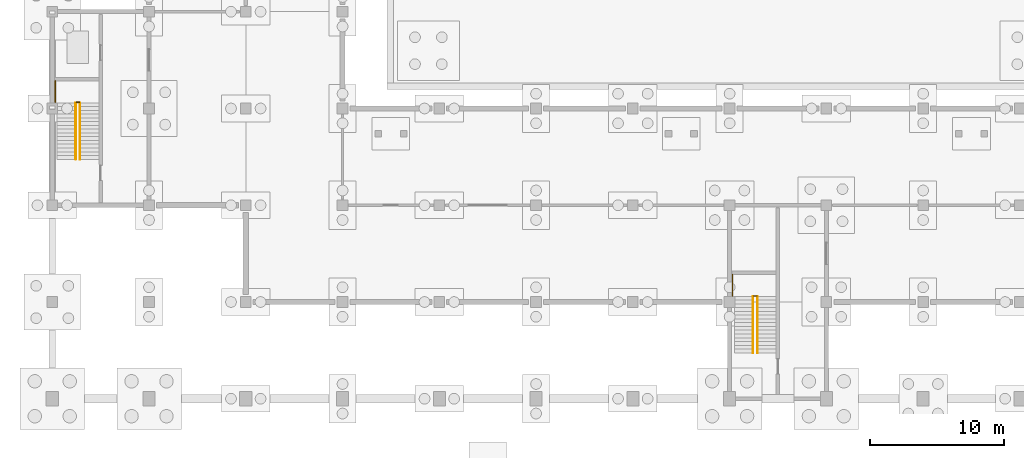
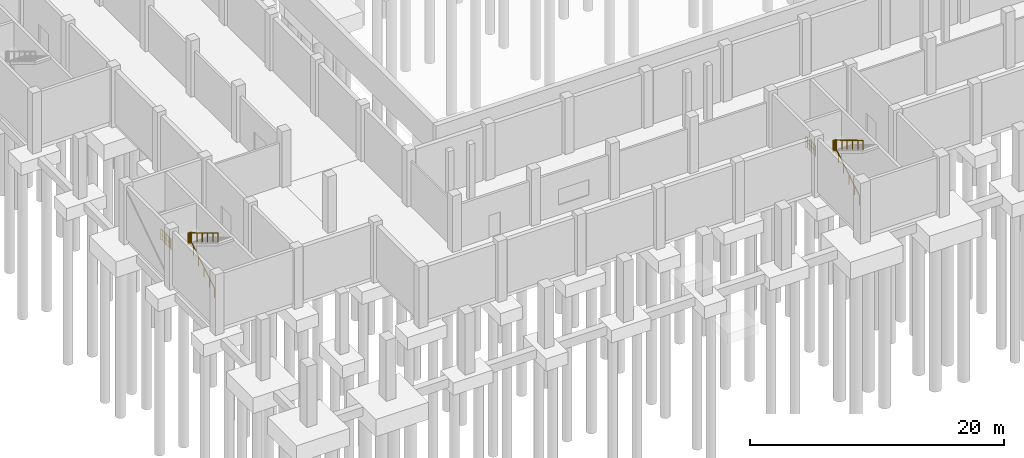
# One storey, part 29 of 35: 8 railings.
"""IFC4 building model written with IfcOpenShell, lengths in metres."""

from ifc_helpers import new_model, si_unit, direction, frame, origin, origin_2d, place, context, subcontext, project, spatial, circle, extrude, material, type_object, element, save


model = new_model("IFC4")

# Units and contexts
model_context = context("Model", 3, precision=1e-05, world=origin(), true_north=direction((0.0, 1.0)))
body_context = subcontext(model_context, "Body", "Model", "MODEL_VIEW")
ifc_project = project(units=[si_unit("LENGTHUNIT", "METRE"), si_unit("AREAUNIT", "SQUARE_METRE"), si_unit("VOLUMEUNIT", "CUBIC_METRE"), si_unit("PLANEANGLEUNIT", "RADIAN"), si_unit("MASSUNIT", "GRAM", prefix="KILO")], contexts=[model_context])

# Site, building, storey
site_placement = place(None, origin())
site = spatial("IfcSite", under=ifc_project, at=site_placement, CompositionType="ELEMENT")
building_placement = place(site_placement, origin())
building = spatial("IfcBuilding", under=site, at=building_placement, Name="Vesperath Aquatics Centre", CompositionType="ELEMENT")
storey_placement = place(building_placement, frame((0.0, 0.0, -5.39990234375)))
storey = spatial("IfcBuildingStorey", under=building, at=storey_placement, Name="B1", CompositionType="ELEMENT", Elevation=-5.39990234375)

# Railings
ifc_material_1 = material(Name="Powder-coated galvanized steel safety guard", Category="steel")
railing_type_1 = type_object("IfcRailingType", Name="RL-GRD01", PredefinedType="GUARDRAIL", material=ifc_material_1)
railing_1_placement = place(storey_placement, frame((1.780029296875, 36.4599609375, 2.699951171875)))
element("IfcRailing", 1, at=railing_1_placement, inside=storey, type_object=railing_type_1, Name="Stair ST1 Half-Landing Slot Guard GR02 B1", PredefinedType="GUARDRAIL", context=body_context, shape_type="SweptSolid", body=[
    extrude(circle(Radius=0.02392578125, at=origin_2d()), frame((0.0, 0.0, 1.0859375), z_axis=(1.0, 0.0, 0.0), x_axis=(0.0, 1.0, 0.0)), (0.0, 0.0, 1.0), 0.260009765625),
    extrude(circle(Radius=0.01611328125, at=origin_2d()), frame((0.0, 0.0, 0.10009765625), z_axis=(1.0, 0.0, 0.0), x_axis=(0.0, 1.0, 0.0)), (0.0, 0.0, 1.0), 0.260009765625),
    extrude(circle(Radius=0.01611328125, at=origin_2d()), frame((0.0, 0.0, 0.610595703125), z_axis=(1.0, 0.0, 0.0), x_axis=(0.0, 1.0, 0.0)), (0.0, 0.0, 1.0), 0.260009765625),
    extrude(circle(Radius=0.009033203125, at=origin_2d()), frame((0.086669921875, 0.0, 0.10009765625)), (0.0, 0.0, 1.0), 0.9619140625),
    extrude(circle(Radius=0.009033203125, at=origin_2d()), frame((0.17333984375, 0.0, 0.10009765625)), (0.0, 0.0, 1.0), 0.9619140625),
    extrude(circle(Radius=0.02197265625, at=origin_2d()), origin(), (0.0, 0.0, 1.0), 1.0859375),
    extrude(circle(Radius=0.02197265625, at=origin_2d()), frame((0.260009765625, 0.0, 0.0)), (0.0, 0.0, 1.0), 1.0859375),
])
railing_2_placement = place(storey_placement, frame((0.219970703125, 36.4599609375, 2.699951171875)))
element("IfcRailing", 2, at=railing_2_placement, inside=storey, type_object=railing_type_1, Name="Stair ST1 Half-Landing Wall Guard GR02 B1", PredefinedType="GUARDRAIL", context=body_context, shape_type="SweptSolid", body=[
    extrude(circle(Radius=0.02392578125, at=origin_2d()), frame((0.0, 0.0, 1.0859375), z_axis=(0.0, 1.0, 0.0), x_axis=(-1.0, 0.0, 0.0)), (0.0, 0.0, 1.0), 1.60009765625),
    extrude(circle(Radius=0.01611328125, at=origin_2d()), frame((0.0, 0.0, 0.10009765625), z_axis=(0.0, 1.0, 0.0), x_axis=(-1.0, 0.0, 0.0)), (0.0, 0.0, 1.0), 1.60009765625),
    extrude(circle(Radius=0.01611328125, at=origin_2d()), frame((0.0, 0.0, 0.610595703125), z_axis=(0.0, 1.0, 0.0), x_axis=(-1.0, 0.0, 0.0)), (0.0, 0.0, 1.0), 1.60009765625),
    extrude(circle(Radius=0.009033203125, at=origin_2d()), frame((0.0, 0.106689453125, 0.10009765625)), (0.0, 0.0, 1.0), 0.9619140625),
    extrude(circle(Radius=0.009033203125, at=origin_2d()), frame((0.0, 0.21337890625, 0.10009765625)), (0.0, 0.0, 1.0), 0.9619140625),
    extrude(circle(Radius=0.009033203125, at=origin_2d()), frame((0.0, 0.320068359375, 0.10009765625)), (0.0, 0.0, 1.0), 0.9619140625),
    extrude(circle(Radius=0.009033203125, at=origin_2d()), frame((0.0, 0.4267578125, 0.10009765625)), (0.0, 0.0, 1.0), 0.9619140625),
    extrude(circle(Radius=0.009033203125, at=origin_2d()), frame((0.0, 0.533447265625, 0.10009765625)), (0.0, 0.0, 1.0), 0.9619140625),
    extrude(circle(Radius=0.009033203125, at=origin_2d()), frame((0.0, 0.64013671875, 0.10009765625)), (0.0, 0.0, 1.0), 0.9619140625),
    extrude(circle(Radius=0.009033203125, at=origin_2d()), frame((0.0, 0.746826171875, 0.10009765625)), (0.0, 0.0, 1.0), 0.9619140625),
    extrude(circle(Radius=0.009033203125, at=origin_2d()), frame((0.0, 0.853271484375, 0.10009765625)), (0.0, 0.0, 1.0), 0.9619140625),
    extrude(circle(Radius=0.009033203125, at=origin_2d()), frame((0.0, 0.9599609375, 0.10009765625)), (0.0, 0.0, 1.0), 0.9619140625),
    extrude(circle(Radius=0.009033203125, at=origin_2d()), frame((0.0, 1.066650390625, 0.10009765625)), (0.0, 0.0, 1.0), 0.9619140625),
    extrude(circle(Radius=0.009033203125, at=origin_2d()), frame((0.0, 1.17333984375, 0.10009765625)), (0.0, 0.0, 1.0), 0.9619140625),
    extrude(circle(Radius=0.009033203125, at=origin_2d()), frame((0.0, 1.280029296875, 0.10009765625)), (0.0, 0.0, 1.0), 0.9619140625),
    extrude(circle(Radius=0.009033203125, at=origin_2d()), frame((0.0, 1.38671875, 0.10009765625)), (0.0, 0.0, 1.0), 0.9619140625),
    extrude(circle(Radius=0.009033203125, at=origin_2d()), frame((0.0, 1.493408203125, 0.10009765625)), (0.0, 0.0, 1.0), 0.9619140625),
    extrude(circle(Radius=0.02197265625, at=origin_2d()), origin(), (0.0, 0.0, 1.0), 1.0859375),
    extrude(circle(Radius=0.02197265625, at=origin_2d()), frame((0.0, 0.800048828125, 0.0)), (0.0, 0.0, 1.0), 1.0859375),
    extrude(circle(Radius=0.02197265625, at=origin_2d()), frame((0.0, 1.60009765625, 0.0)), (0.0, 0.0, 1.0), 1.0859375),
])
railing_3_placement = place(storey_placement, frame((52.179931640625, 22.06005859375, 2.699951171875)))
element("IfcRailing", 3, at=railing_3_placement, inside=storey, type_object=railing_type_1, Name="Stair ST9 Half-Landing Slot Guard GR02 B1", PredefinedType="GUARDRAIL", context=body_context, shape_type="SweptSolid", body=[
    extrude(circle(Radius=0.02392578125, at=origin_2d()), frame((0.0, 0.0, 1.0859375), z_axis=(1.0, 0.0, 0.0), x_axis=(0.0, 1.0, 0.0)), (0.0, 0.0, 1.0), 0.260009765625),
    extrude(circle(Radius=0.01611328125, at=origin_2d()), frame((0.0, 0.0, 0.10009765625), z_axis=(1.0, 0.0, 0.0), x_axis=(0.0, 1.0, 0.0)), (0.0, 0.0, 1.0), 0.260009765625),
    extrude(circle(Radius=0.01611328125, at=origin_2d()), frame((0.0, 0.0, 0.610595703125), z_axis=(1.0, 0.0, 0.0), x_axis=(0.0, 1.0, 0.0)), (0.0, 0.0, 1.0), 0.260009765625),
    extrude(circle(Radius=0.009033203125, at=origin_2d()), frame((0.086669921875, 0.0, 0.10009765625)), (0.0, 0.0, 1.0), 0.9619140625),
    extrude(circle(Radius=0.009033203125, at=origin_2d()), frame((0.17333984375, 0.0, 0.10009765625)), (0.0, 0.0, 1.0), 0.9619140625),
    extrude(circle(Radius=0.02197265625, at=origin_2d()), origin(), (0.0, 0.0, 1.0), 1.0859375),
    extrude(circle(Radius=0.02197265625, at=origin_2d()), frame((0.260009765625, 0.0, 0.0)), (0.0, 0.0, 1.0), 1.0859375),
])
railing_4_placement = place(storey_placement, frame((50.6201171875, 22.06005859375, 2.699951171875)))
element("IfcRailing", 4, at=railing_4_placement, inside=storey, type_object=railing_type_1, Name="Stair ST9 Half-Landing Wall Guard GR02 B1", PredefinedType="GUARDRAIL", context=body_context, shape_type="SweptSolid", body=[
    extrude(circle(Radius=0.02392578125, at=origin_2d()), frame((0.0, 0.0, 1.0859375), z_axis=(0.0, 1.0, 0.0), x_axis=(-1.0, 0.0, 0.0)), (0.0, 0.0, 1.0), 1.599853515625),
    extrude(circle(Radius=0.01611328125, at=origin_2d()), frame((0.0, 0.0, 0.10009765625), z_axis=(0.0, 1.0, 0.0), x_axis=(-1.0, 0.0, 0.0)), (0.0, 0.0, 1.0), 1.599853515625),
    extrude(circle(Radius=0.01611328125, at=origin_2d()), frame((0.0, 0.0, 0.610595703125), z_axis=(0.0, 1.0, 0.0), x_axis=(-1.0, 0.0, 0.0)), (0.0, 0.0, 1.0), 1.599853515625),
    extrude(circle(Radius=0.009033203125, at=origin_2d()), frame((0.0, 0.106689453125, 0.10009765625)), (0.0, 0.0, 1.0), 0.9619140625),
    extrude(circle(Radius=0.009033203125, at=origin_2d()), frame((0.0, 0.21337890625, 0.10009765625)), (0.0, 0.0, 1.0), 0.9619140625),
    extrude(circle(Radius=0.009033203125, at=origin_2d()), frame((0.0, 0.320068359375, 0.10009765625)), (0.0, 0.0, 1.0), 0.9619140625),
    extrude(circle(Radius=0.009033203125, at=origin_2d()), frame((0.0, 0.426513671875, 0.10009765625)), (0.0, 0.0, 1.0), 0.9619140625),
    extrude(circle(Radius=0.009033203125, at=origin_2d()), frame((0.0, 0.533203125, 0.10009765625)), (0.0, 0.0, 1.0), 0.9619140625),
    extrude(circle(Radius=0.009033203125, at=origin_2d()), frame((0.0, 0.639892578125, 0.10009765625)), (0.0, 0.0, 1.0), 0.9619140625),
    extrude(circle(Radius=0.009033203125, at=origin_2d()), frame((0.0, 0.74658203125, 0.10009765625)), (0.0, 0.0, 1.0), 0.9619140625),
    extrude(circle(Radius=0.009033203125, at=origin_2d()), frame((0.0, 0.853271484375, 0.10009765625)), (0.0, 0.0, 1.0), 0.9619140625),
    extrude(circle(Radius=0.009033203125, at=origin_2d()), frame((0.0, 0.9599609375, 0.10009765625)), (0.0, 0.0, 1.0), 0.9619140625),
    extrude(circle(Radius=0.009033203125, at=origin_2d()), frame((0.0, 1.066650390625, 0.10009765625)), (0.0, 0.0, 1.0), 0.9619140625),
    extrude(circle(Radius=0.009033203125, at=origin_2d()), frame((0.0, 1.17333984375, 0.10009765625)), (0.0, 0.0, 1.0), 0.9619140625),
    extrude(circle(Radius=0.009033203125, at=origin_2d()), frame((0.0, 1.27978515625, 0.10009765625)), (0.0, 0.0, 1.0), 0.9619140625),
    extrude(circle(Radius=0.009033203125, at=origin_2d()), frame((0.0, 1.386474609375, 0.10009765625)), (0.0, 0.0, 1.0), 0.9619140625),
    extrude(circle(Radius=0.009033203125, at=origin_2d()), frame((0.0, 1.4931640625, 0.10009765625)), (0.0, 0.0, 1.0), 0.9619140625),
    extrude(circle(Radius=0.02197265625, at=origin_2d()), origin(), (0.0, 0.0, 1.0), 1.0859375),
    extrude(circle(Radius=0.02197265625, at=origin_2d()), frame((0.0, 0.7998046875, 0.0)), (0.0, 0.0, 1.0), 1.0859375),
    extrude(circle(Radius=0.02197265625, at=origin_2d()), frame((0.0, 1.599853515625, 0.0)), (0.0, 0.0, 1.0), 1.0859375),
])
ifc_material_2 = material(Name="Brushed stainless steel tubular handrail", Category="steel")
railing_type_2 = type_object("IfcRailingType", Name="RL-HND01", PredefinedType="HANDRAIL", material=ifc_material_2)
railing_5_placement = place(storey_placement, frame((1.75, 32.219970703125, 0.168701171875)))
element("IfcRailing", 5, at=railing_5_placement, inside=storey, type_object=railing_type_2, Name="Stair ST1 Flight 1 Handrail HR01 B1", PredefinedType="HANDRAIL", context=body_context, shape_type="SweptSolid", body=[
    extrude(circle(Radius=0.02392578125, at=origin_2d()), frame((0.0, 0.0, 0.8759765625), z_axis=(0.0, 0.856476492594, 0.516186030065), x_axis=(-1.0, 0.0, 0.0)), (0.0, 0.0, 1.0), 4.90380859375),
    extrude(circle(Radius=0.02197265625, at=origin_2d()), origin(), (0.0, 0.0, 1.0), 0.8759765625),
    extrude(circle(Radius=0.02197265625, at=origin_2d()), frame((0.0, 0.840087890625, 0.50634765625)), (0.0, 0.0, 1.0), 0.8759765625),
    extrude(circle(Radius=0.02197265625, at=origin_2d()), frame((0.0, 1.679931640625, 1.012451171875)), (0.0, 0.0, 1.0), 0.8759765625),
    extrude(circle(Radius=0.02197265625, at=origin_2d()), frame((0.0, 2.52001953125, 1.518798828125)), (0.0, 0.0, 1.0), 0.8759765625),
    extrude(circle(Radius=0.02197265625, at=origin_2d()), frame((0.0, 3.35986328125, 2.02490234375)), (0.0, 0.0, 1.0), 0.8759765625),
    extrude(circle(Radius=0.02197265625, at=origin_2d()), frame((0.0, 4.199951171875, 2.53125)), (0.0, 0.0, 1.0), 0.8759765625),
])
railing_6_placement = place(storey_placement, frame((2.070068359375, 36.419921875, 2.86865234375)))
element("IfcRailing", 6, at=railing_6_placement, inside=storey, type_object=railing_type_2, Name="Stair ST1 Flight 2 Handrail HR01 B1", PredefinedType="HANDRAIL", context=body_context, shape_type="SweptSolid", body=[
    extrude(circle(Radius=0.02392578125, at=origin_2d()), frame((0.0, 0.0, 0.8759765625), z_axis=(0.0, -0.856476492594, 0.516186030065), x_axis=(1.0, 0.0, 0.0)), (0.0, 0.0, 1.0), 4.90380859375),
    extrude(circle(Radius=0.02197265625, at=origin_2d()), origin(), (0.0, 0.0, 1.0), 0.8759765625),
    extrude(circle(Radius=0.02197265625, at=origin_2d()), frame((0.0, -0.840087890625, 0.50634765625)), (0.0, 0.0, 1.0), 0.8759765625),
    extrude(circle(Radius=0.02197265625, at=origin_2d()), frame((0.0, -1.679931640625, 1.012451171875)), (0.0, 0.0, 1.0), 0.8759765625),
    extrude(circle(Radius=0.02197265625, at=origin_2d()), frame((0.0, -2.52001953125, 1.518798828125)), (0.0, 0.0, 1.0), 0.8759765625),
    extrude(circle(Radius=0.02197265625, at=origin_2d()), frame((0.0, -3.35986328125, 2.02490234375)), (0.0, 0.0, 1.0), 0.8759765625),
    extrude(circle(Radius=0.02197265625, at=origin_2d()), frame((0.0, -4.199951171875, 2.53125)), (0.0, 0.0, 1.0), 0.8759765625),
])
railing_7_placement = place(storey_placement, frame((52.14990234375, 17.820068359375, 0.168701171875)))
element("IfcRailing", 7, at=railing_7_placement, inside=storey, type_object=railing_type_2, Name="Stair ST9 Flight 1 Handrail HR01 B1", PredefinedType="HANDRAIL", context=body_context, shape_type="SweptSolid", body=[
    extrude(circle(Radius=0.02392578125, at=origin_2d()), frame((0.0, 0.0, 0.8759765625), z_axis=(0.0, 0.856476492594, 0.516186030065), x_axis=(-1.0, 0.0, 0.0)), (0.0, 0.0, 1.0), 4.90380859375),
    extrude(circle(Radius=0.02197265625, at=origin_2d()), origin(), (0.0, 0.0, 1.0), 0.8759765625),
    extrude(circle(Radius=0.02197265625, at=origin_2d()), frame((0.0, 0.840087890625, 0.50634765625)), (0.0, 0.0, 1.0), 0.8759765625),
    extrude(circle(Radius=0.02197265625, at=origin_2d()), frame((0.0, 1.679931640625, 1.012451171875)), (0.0, 0.0, 1.0), 0.8759765625),
    extrude(circle(Radius=0.02197265625, at=origin_2d()), frame((0.0, 2.52001953125, 1.518798828125)), (0.0, 0.0, 1.0), 0.8759765625),
    extrude(circle(Radius=0.02197265625, at=origin_2d()), frame((0.0, 3.35986328125, 2.02490234375)), (0.0, 0.0, 1.0), 0.8759765625),
    extrude(circle(Radius=0.02197265625, at=origin_2d()), frame((0.0, 4.199951171875, 2.53125)), (0.0, 0.0, 1.0), 0.8759765625),
])
railing_8_placement = place(storey_placement, frame((52.469970703125, 22.02001953125, 2.86865234375)))
element("IfcRailing", 8, at=railing_8_placement, inside=storey, type_object=railing_type_2, Name="Stair ST9 Flight 2 Handrail HR01 B1", PredefinedType="HANDRAIL", context=body_context, shape_type="SweptSolid", body=[
    extrude(circle(Radius=0.02392578125, at=origin_2d()), frame((0.0, 0.0, 0.8759765625), z_axis=(0.0, -0.856476492594, 0.516186030065), x_axis=(1.0, 0.0, 0.0)), (0.0, 0.0, 1.0), 4.90380859375),
    extrude(circle(Radius=0.02197265625, at=origin_2d()), origin(), (0.0, 0.0, 1.0), 0.8759765625),
    extrude(circle(Radius=0.02197265625, at=origin_2d()), frame((0.0, -0.840087890625, 0.50634765625)), (0.0, 0.0, 1.0), 0.8759765625),
    extrude(circle(Radius=0.02197265625, at=origin_2d()), frame((0.0, -1.679931640625, 1.012451171875)), (0.0, 0.0, 1.0), 0.8759765625),
    extrude(circle(Radius=0.02197265625, at=origin_2d()), frame((0.0, -2.52001953125, 1.518798828125)), (0.0, 0.0, 1.0), 0.8759765625),
    extrude(circle(Radius=0.02197265625, at=origin_2d()), frame((0.0, -3.35986328125, 2.02490234375)), (0.0, 0.0, 1.0), 0.8759765625),
    extrude(circle(Radius=0.02197265625, at=origin_2d()), frame((0.0, -4.199951171875, 2.53125)), (0.0, 0.0, 1.0), 0.8759765625),
])

save(model, "model.ifc")
